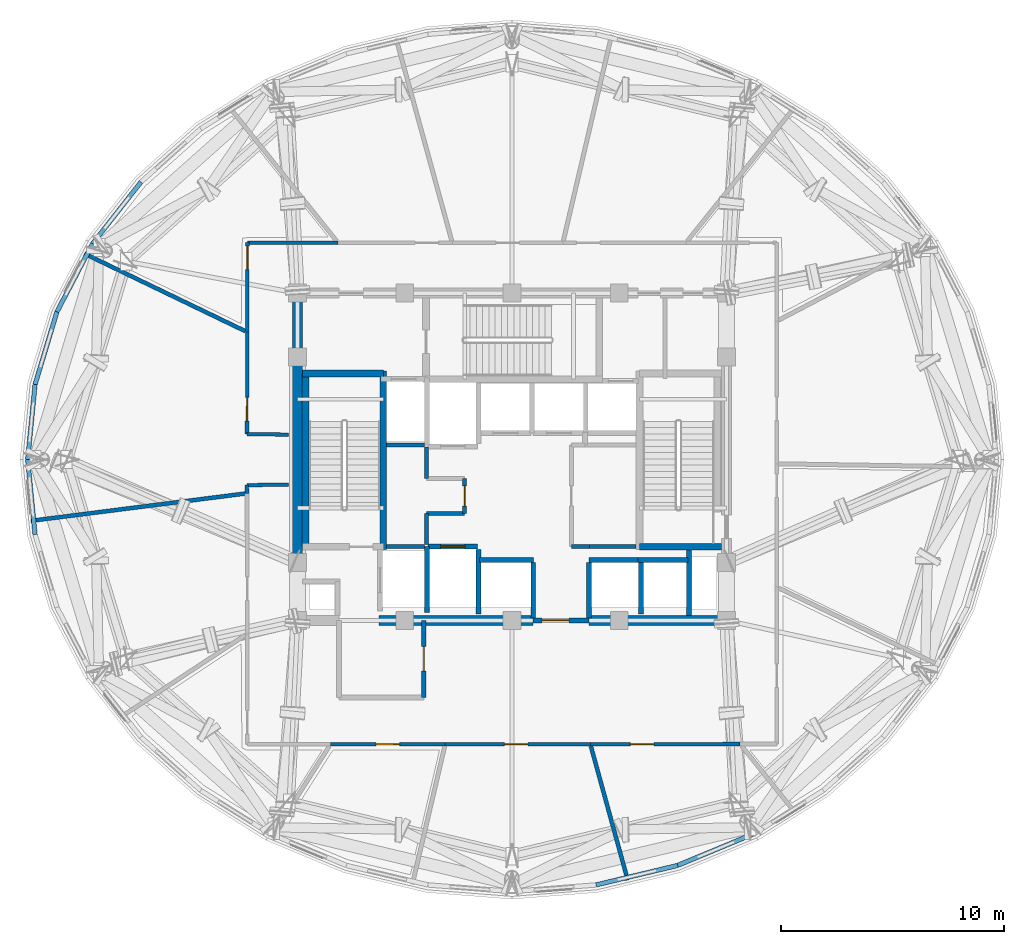
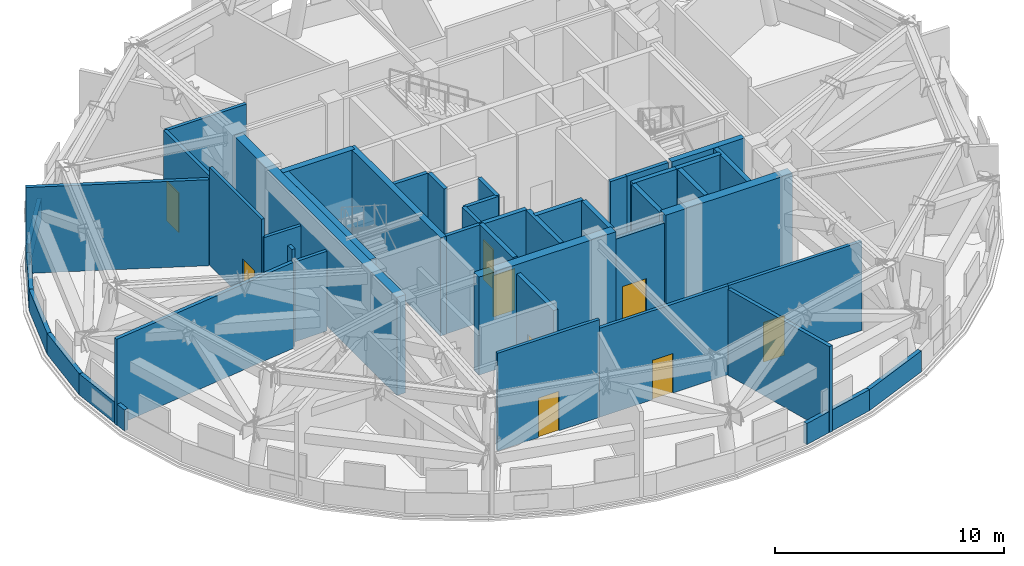
# One storey, part 7 of 13: 46 walls, 9 doors, 9 openings.
"""IFC4 building model written with IfcOpenShell, lengths in metres."""

from ifc_helpers import new_model, si_unit, direction, frame, frame_2d, origin, place, context, subcontext, project, spatial, rectangle, extrude, material, layer, layer_set, type_object, element, fill, save


model = new_model("IFC4")

# Units and contexts
model_context = context("Model", 3, precision=1e-05, world=origin(), true_north=direction((0.0, 1.0)))
body_context = subcontext(model_context, "Body", "Model", "MODEL_VIEW")
ifc_project = project(units=[si_unit("LENGTHUNIT", "METRE"), si_unit("AREAUNIT", "SQUARE_METRE"), si_unit("VOLUMEUNIT", "CUBIC_METRE"), si_unit("PLANEANGLEUNIT", "RADIAN"), si_unit("MASSUNIT", "GRAM", prefix="KILO")], contexts=[model_context])

# Site, building, storey
site_placement = place(None, origin())
site = spatial("IfcSite", under=ifc_project, at=site_placement, CompositionType="ELEMENT")
building_placement = place(site_placement, origin())
building = spatial("IfcBuilding", under=site, at=building_placement, Name="Vantalir Tower", CompositionType="ELEMENT")
storey_placement = place(building_placement, frame((0.0, 0.0, 253.64990234375)))
storey = spatial("IfcBuildingStorey", under=building, at=storey_placement, Name="L64", CompositionType="ELEMENT", Elevation=253.64990234375)

# Walls
ifc_material_1 = material(Name="Concrete C50/60", Category="concrete")
ifc_layer_1 = layer(ifc_material_1, 0.449951171875)
ifc_layer_set_1 = layer_set([ifc_layer_1], Name="Concrete C50/60")
wall_type_1 = type_object("IfcWallType", Name="WL-CORE-450", PredefinedType="SHEAR", material=ifc_layer_set_1)
wall_1_placement = place(storey_placement, frame((25.550048828125, 17.800048828125, 0.0), z_axis=(0.0, 0.0, 1.0), x_axis=(1.0, 0.0, 0.0)))
element("IfcWall", 1, at=wall_1_placement, inside=storey, type_object=wall_type_1, Name="L64 Core Shear Wall South-Mid", PredefinedType="SHEAR", context=body_context, shape_type="SweptSolid", body=[
    extrude(rectangle(XDim=6.89990234375, YDim=0.449951171875, at=frame_2d((3.449951171875, 0.0))), origin(), (0.0, 0.0, 1.0), 5.22021484375),
])
wall_2_placement = place(storey_placement, frame((34.949951171875, 17.800048828125, 0.0), z_axis=(0.0, 0.0, 1.0), x_axis=(1.0, 0.0, 0.0)))
element("IfcWall", 2, at=wall_2_placement, inside=storey, type_object=wall_type_1, Name="L64 Core Shear Wall South-East", PredefinedType="SHEAR", context=body_context, shape_type="SweptSolid", body=[
    extrude(rectangle(XDim=6.375, YDim=0.449951171875, at=frame_2d((3.1875, 0.0))), origin(), (0.0, 0.0, 1.0), 5.22021484375),
])
wall_3_placement = place(storey_placement, frame((21.89990234375, 18.02490234375, 0.0), z_axis=(0.0, 0.0, 1.0), x_axis=(0.0, 1.0, 0.0)))
element("IfcWall", 3, at=wall_3_placement, inside=storey, type_object=wall_type_1, Name="L64 Core Shear Wall West", PredefinedType="SHEAR", context=body_context, shape_type="SweptSolid", body=[
    extrude(rectangle(XDim=14.2001953125, YDim=0.449951171875, at=frame_2d((7.10009765625, 0.0))), origin(), (0.0, 0.0, 1.0), 5.22021484375),
])
ifc_material_2 = material(Name="Fire-rated hotel corridor acoustic partition", Category="gypsum")
ifc_layer_2 = layer(ifc_material_2, 0.159912109375)
ifc_layer_set_2 = layer_set([ifc_layer_2], Name="Fire-rated hotel corridor acoustic partition")
wall_type_2 = type_object("IfcWallType", Name="WL-CORR-160", PredefinedType="PARTITIONING", material=ifc_layer_set_2)
wall_4_placement = place(storey_placement, frame((21.4951171875, 26.116943359375, 0.0), z_axis=(0.0, 0.0, 1.0), x_axis=(-0.999908537082, 0.013524698532, 0.0)))
element("IfcWall", 4, at=wall_4_placement, inside=storey, type_object=wall_type_2, Name="L64 Corridor Partition 01", PredefinedType="PARTITIONING", context=body_context, shape_type="SweptSolid", body=[
    extrude(rectangle(XDim=1.859375, YDim=0.159912109375, at=frame_2d((0.9296875, 0.0))), origin(), (0.0, 0.0, 1.0), 4.2451171875),
])

# Wall, opening, door
wall_5_placement = place(storey_placement, frame((19.635986328125, 26.14208984375, 0.0), z_axis=(0.0, 0.0, 1.0), x_axis=(0.002833910126, 0.999995984469, 0.0)))
wall_5 = element("IfcWall", 5, at=wall_5_placement, inside=storey, type_object=wall_type_2, Name="L64 Corridor Partition 02", PredefinedType="PARTITIONING", context=body_context, shape_type="SweptSolid", body=[
    extrude(rectangle(XDim=4.56591796875, YDim=0.159912109375, at=frame_2d((2.282958984375, 0.0))), origin(), (0.0, 0.0, 1.0), 5.2001953125),
])
opening_1_placement = place(wall_5_placement, frame((0.595947265625, 0.0, 0.0)))
opening_1 = element("IfcOpeningElement", 6, at=opening_1_placement, cuts=wall_5, Name="Opening D-ST", PredefinedType="OPENING", context=body_context, shape_type="SweptSolid", body=[
    extrude(rectangle(XDim=1.050048828125, YDim=2.10009765625, at=frame_2d((0.52490234375, 1.050048828125))), frame((0.0, 0.08984375, 0.0), z_axis=(0.0, -1.0, 0.0), x_axis=(1.0, 0.0, 0.0)), (0.0, 0.0, 1.0), 0.179931640625),
])
ifc_material_3 = material(Name="Fire-rated steel door leaf", Category="steel")
door_type_1 = type_object("IfcDoorType", Name="DR-FIRE-STAIR-1050", OperationType="NOTDEFINED", PredefinedType="DOOR", material=ifc_material_3)
door_1_placement = place(opening_1_placement, origin())
door_1 = element("IfcDoor", 7, at=door_1_placement, inside=storey, type_object=door_type_1, Name="L64 Domestic Cold Water Booster Plant Room Door", OperationType="SINGLE_SWING_LEFT", OverallHeight=2.10009765625, OverallWidth=1.050048828125, PredefinedType="DOOR", context=body_context, shape_type="SweptSolid", body=[
    extrude(rectangle(XDim=1.050048828125, YDim=2.10009765625, at=frame_2d((0.52490234375, 1.050048828125))), frame((0.0, 0.02490234375, 0.0), z_axis=(0.0, -1.0, 0.0), x_axis=(1.0, 0.0, 0.0)), (0.0, 0.0, 1.0), 0.050048828125),
])
fill(opening_1, door_1)

wall_6_placement = place(storey_placement, frame((19.64892578125, 30.7080078125, 0.0), z_axis=(0.0, 0.0, 1.0), x_axis=(0.00274389211, 0.999996235521, 0.0)))
wall_6 = element("IfcWall", 8, at=wall_6_placement, inside=storey, type_object=wall_type_2, Name="L64 Corridor Partition 03", PredefinedType="PARTITIONING", context=body_context, shape_type="SweptSolid", body=[
    extrude(rectangle(XDim=4.00390625, YDim=0.159912109375, at=frame_2d((2.001953125, 0.0))), origin(), (0.0, 0.0, 1.0), 4.733154296875),
])
opening_2_placement = place(wall_6_placement, frame((2.7939453125, 0.0, 0.0)))
opening_2 = element("IfcOpeningElement", 9, at=opening_2_placement, cuts=wall_6, Name="Opening D-ST", PredefinedType="OPENING", context=body_context, shape_type="SweptSolid", body=[
    extrude(rectangle(XDim=1.050048828125, YDim=2.10009765625, at=frame_2d((0.52490234375, 1.050048828125))), frame((0.0, 0.08984375, 0.0), z_axis=(0.0, -1.0, 0.0), x_axis=(1.0, 0.0, 0.0)), (0.0, 0.0, 1.0), 0.179931640625),
])
door_2_placement = place(opening_2_placement, origin())
door_2 = element("IfcDoor", 10, at=door_2_placement, inside=storey, type_object=door_type_1, Name="L64 Fire Sprinkler Transfer Pump Plant Room Door", OperationType="SINGLE_SWING_RIGHT", OverallHeight=2.10009765625, OverallWidth=1.050048828125, PredefinedType="DOOR", context=body_context, shape_type="SweptSolid", body=[
    extrude(rectangle(XDim=1.050048828125, YDim=2.10009765625, at=frame_2d((0.52490234375, 1.050048828125))), frame((0.0, 0.02490234375, 0.0), z_axis=(0.0, -1.0, 0.0), x_axis=(1.0, 0.0, 0.0)), (0.0, 0.0, 1.0), 0.050048828125),
])
fill(opening_2, door_2)

# Wall
wall_7_placement = place(storey_placement, frame((19.659912109375, 34.7119140625, 0.0), z_axis=(0.0, 0.0, 1.0), x_axis=(0.999999970944, -0.000241065503, 0.0)))
element("IfcWall", 11, at=wall_7_placement, inside=storey, type_object=wall_type_2, Name="L64 Corridor Partition 04", PredefinedType="PARTITIONING", context=body_context, shape_type="SweptSolid", body=[
    extrude(rectangle(XDim=4.051025390625, YDim=0.159912109375, at=frame_2d((2.025390625, 0.0))), origin(), (0.0, 0.0, 1.0), 4.733154296875),
])

# Wall, opening, door
wall_8_placement = place(storey_placement, frame((41.712890625, 12.26708984375, 0.0), z_axis=(0.0, 0.0, 1.0), x_axis=(-0.999999888028, -0.000473226258, 0.0)))
wall_8 = element("IfcWall", 12, at=wall_8_placement, inside=storey, type_object=wall_type_2, Name="L64 Corridor Partition 14", PredefinedType="PARTITIONING", context=body_context, shape_type="SweptSolid", body=[
    extrude(rectangle(XDim=6.706787109375, YDim=0.159912109375, at=frame_2d((3.353515625, 0.0))), origin(), (0.0, 0.0, 1.0), 4.733154296875),
])
opening_3_placement = place(wall_8_placement, frame((3.865966796875, 0.0, 0.0)))
opening_3 = element("IfcOpeningElement", 13, at=opening_3_placement, cuts=wall_8, Name="Opening D-ST", PredefinedType="OPENING", context=body_context, shape_type="SweptSolid", body=[
    extrude(rectangle(XDim=1.050048828125, YDim=2.10009765625, at=frame_2d((0.52490234375, 1.050048828125))), frame((0.0, 0.08984375, 0.0), z_axis=(0.0, -1.0, 0.0), x_axis=(1.0, 0.0, 0.0)), (0.0, 0.0, 1.0), 0.179931640625),
])
door_3_placement = place(opening_3_placement, origin())
door_3 = element("IfcDoor", 14, at=door_3_placement, inside=storey, type_object=door_type_1, Name="L64 Smoke Extract Fan Plant Room Door", OperationType="SINGLE_SWING_RIGHT", OverallHeight=2.10009765625, OverallWidth=1.050048828125, PredefinedType="DOOR", context=body_context, shape_type="SweptSolid", body=[
    extrude(rectangle(XDim=1.050048828125, YDim=2.10009765625, at=frame_2d((0.52490234375, 1.050048828125))), frame((0.0, 0.02490234375, 0.0), z_axis=(0.0, -1.0, 0.0), x_axis=(1.0, 0.0, 0.0)), (0.0, 0.0, 1.0), 0.050048828125),
])
fill(opening_3, door_3)

wall_9_placement = place(storey_placement, frame((35.006103515625, 12.263916015625, 0.0), z_axis=(0.0, 0.0, 1.0), x_axis=(-0.999999898272, -0.000451059945, 0.0)))
wall_9 = element("IfcWall", 15, at=wall_9_placement, inside=storey, type_object=wall_type_2, Name="L64 Corridor Partition 15", PredefinedType="PARTITIONING", context=body_context, shape_type="SweptSolid", body=[
    extrude(rectangle(XDim=6.4951171875, YDim=0.159912109375, at=frame_2d((3.24755859375, 0.0))), origin(), (0.0, 0.0, 1.0), 4.733154296875),
])
opening_4_placement = place(wall_9_placement, frame((2.7958984375, 0.0, 0.0)))
opening_4 = element("IfcOpeningElement", 16, at=opening_4_placement, cuts=wall_9, Name="Opening D-ST", PredefinedType="OPENING", context=body_context, shape_type="SweptSolid", body=[
    extrude(rectangle(XDim=1.050048828125, YDim=2.10009765625, at=frame_2d((0.52490234375, 1.050048828125))), frame((0.0, 0.08984375, 0.0), z_axis=(0.0, -1.0, 0.0), x_axis=(1.0, 0.0, 0.0)), (0.0, 0.0, 1.0), 0.179931640625),
])
door_4_placement = place(opening_4_placement, origin())
door_4 = element("IfcDoor", 17, at=door_4_placement, inside=storey, type_object=door_type_1, Name="L64 Refuge Area South Door", OperationType="SINGLE_SWING_LEFT", OverallHeight=2.10009765625, OverallWidth=1.050048828125, PredefinedType="DOOR", context=body_context, shape_type="SweptSolid", body=[
    extrude(rectangle(XDim=1.050048828125, YDim=2.10009765625, at=frame_2d((0.52490234375, 1.050048828125))), frame((0.0, 0.02490234375, 0.0), z_axis=(0.0, -1.0, 0.0), x_axis=(1.0, 0.0, 0.0)), (0.0, 0.0, 1.0), 0.050048828125),
])
fill(opening_4, door_4)

wall_10_placement = place(storey_placement, frame((28.510986328125, 12.260986328125, 0.0), z_axis=(0.0, 0.0, 1.0), x_axis=(-0.999999837123, -0.000570749015, 0.0)))
wall_10 = element("IfcWall", 18, at=wall_10_placement, inside=storey, type_object=wall_type_2, Name="L64 Corridor Partition 16", PredefinedType="PARTITIONING", context=body_context, shape_type="SweptSolid", body=[
    extrude(rectangle(XDim=5.133056640625, YDim=0.159912109375, at=frame_2d((2.56640625, 0.0))), origin(), (0.0, 0.0, 1.0), 5.2001953125),
])
opening_5_placement = place(wall_10_placement, frame((2.0419921875, 0.0, 0.0)))
opening_5 = element("IfcOpeningElement", 19, at=opening_5_placement, cuts=wall_10, Name="Opening D-ST", PredefinedType="OPENING", context=body_context, shape_type="SweptSolid", body=[
    extrude(rectangle(XDim=1.050048828125, YDim=2.10009765625, at=frame_2d((0.52490234375, 1.050048828125))), frame((0.0, 0.08984375, 0.0), z_axis=(0.0, -1.0, 0.0), x_axis=(1.0, 0.0, 0.0)), (0.0, 0.0, 1.0), 0.179931640625),
])
door_5_placement = place(opening_5_placement, origin())
door_5 = element("IfcDoor", 20, at=door_5_placement, inside=storey, type_object=door_type_1, Name="L64 Emergency UPS Battery Plant Room Door", OperationType="SINGLE_SWING_RIGHT", OverallHeight=2.10009765625, OverallWidth=1.050048828125, PredefinedType="DOOR", context=body_context, shape_type="SweptSolid", body=[
    extrude(rectangle(XDim=1.050048828125, YDim=2.10009765625, at=frame_2d((0.52490234375, 1.050048828125))), frame((0.0, 0.02490234375, 0.0), z_axis=(0.0, -1.0, 0.0), x_axis=(1.0, 0.0, 0.0)), (0.0, 0.0, 1.0), 0.050048828125),
])
fill(opening_5, door_5)

# Walls
wall_11_placement = place(storey_placement, frame((19.635986328125, 23.489990234375, 0.0), z_axis=(0.0, 0.0, 1.0), x_axis=(-0.002682753592, 0.99999640141, 0.0)))
element("IfcWall", 21, at=wall_11_placement, inside=storey, type_object=wall_type_2, Name="L64 Corridor Partition 20", PredefinedType="PARTITIONING", context=body_context, shape_type="SweptSolid", body=[
    extrude(rectangle(XDim=0.364013671875, YDim=0.159912109375, at=frame_2d((0.18212890625, 0.0))), origin(), (0.0, 0.0, 1.0), 5.2001953125),
])
wall_12_placement = place(storey_placement, frame((19.635009765625, 23.85400390625, 0.0), z_axis=(0.0, 0.0, 1.0), x_axis=(0.999886107392, 0.015092125259, 0.0)))
element("IfcWall", 22, at=wall_12_placement, inside=storey, type_object=wall_type_2, Name="L64 Corridor Partition 21", PredefinedType="PARTITIONING", context=body_context, shape_type="SweptSolid", body=[
    extrude(rectangle(XDim=1.8603515625, YDim=0.159912109375, at=frame_2d((0.93017578125, 0.0))), origin(), (0.0, 0.0, 1.0), 4.2451171875),
])
ifc_material_4 = material(Name="Concrete blockwork with fireboard lining", Category="masonry")
ifc_layer_3 = layer(ifc_material_4, 0.219970703125)
ifc_layer_set_3 = layer_set([ifc_layer_3], Name="Concrete blockwork with fireboard lining")
wall_type_3 = type_object("IfcWallType", Name="WL-FFL-220", PredefinedType="PARTITIONING", material=ifc_layer_set_3)
wall_13_placement = place(storey_placement, frame((30.0, 18.080078125, 0.0), z_axis=(0.0, 0.0, 1.0), x_axis=(0.0, 1.0, 0.0)))
element("IfcWall", 23, at=wall_13_placement, inside=storey, type_object=wall_type_3, Name="L64 Service Lift SV1 East Shaft Wall", PredefinedType="PARTITIONING", context=body_context, shape_type="SweptSolid", body=[
    extrude(rectangle(XDim=2.89990234375, YDim=0.219970703125, at=frame_2d((1.449951171875, 0.0))), origin(), (0.0, 0.0, 1.0), 5.195068359375),
])
for number, where, z_axis, x_axis, name in (
    (24, (32.449951171875, 17.919921875, 0.0), (0.0, 0.0, 1.0), (0.0, 1.0, 0.0), "L64 Shuttle Lift PL-X1 East Shaft Cheek"),
    (25, (34.949951171875, 17.919921875, 0.0), (0.0, 0.0, 1.0), (0.0, 1.0, 0.0), "L64 Shuttle Lift PL-X3 West Shaft Cheek"),
):
    element("IfcWall", number, at=place(storey_placement, frame(where, z_axis=z_axis, x_axis=x_axis)), inside=storey, type_object=wall_type_3, Name=name, PredefinedType="PARTITIONING", context=body_context, shape_type="SweptSolid", body=[
        extrude(rectangle(XDim=2.469970703125, YDim=0.219970703125, at=frame_2d((1.23486328125, 0.0))), origin(), (0.0, 0.0, 1.0), 5.195068359375),
    ])
wall_14_placement = place(storey_placement, frame((37.27490234375, 18.080078125, 0.0), z_axis=(0.0, 0.0, 1.0), x_axis=(0.0, 1.0, 0.0)))
element("IfcWall", 26, at=wall_14_placement, inside=storey, type_object=wall_type_3, Name="L64 Shuttle Lift PL-X2/X3 Shaft Divider", PredefinedType="PARTITIONING", context=body_context, shape_type="SweptSolid", body=[
    extrude(rectangle(XDim=2.309814453125, YDim=0.219970703125, at=frame_2d((1.15478515625, 0.0))), origin(), (0.0, 0.0, 1.0), 5.195068359375),
])

# Wall, opening, door
wall_15_placement = place(storey_placement, frame((32.449951171875, 17.800048828125, 0.0), z_axis=(0.0, 0.0, 1.0), x_axis=(1.0, 0.0, 0.0)))
wall_15 = element("IfcWall", 27, at=wall_15_placement, inside=storey, type_object=wall_type_3, Name="L64 Passenger Lift Lobby South Wall", PredefinedType="PARTITIONING", context=body_context, shape_type="SweptSolid", body=[
    extrude(rectangle(XDim=2.5, YDim=0.219970703125, at=frame_2d((1.25, 0.0))), origin(), (0.0, 0.0, 1.0), 4.733154296875),
])
opening_6_placement = place(wall_15_placement, frame((0.39990234375, 0.0, 0.0)))
opening_6 = element("IfcOpeningElement", 28, at=opening_6_placement, cuts=wall_15, Name="Opening D-STE", PredefinedType="OPENING", context=body_context, shape_type="SweptSolid", body=[
    extrude(rectangle(XDim=1.199951171875, YDim=2.10009765625, at=frame_2d((0.60009765625, 1.050048828125))), frame((0.0, 0.119873046875, 0.0), z_axis=(0.0, -1.0, 0.0), x_axis=(1.0, 0.0, 0.0)), (0.0, 0.0, 1.0), 0.239990234375),
])
ifc_material_5 = material(Name="Solid-core teak veneer suite entrance door", Category="wood")
door_type_2 = type_object("IfcDoorType", Name="DR-SUITE-ENTRY-1200", OperationType="NOTDEFINED", PredefinedType="DOOR", material=ifc_material_5)
door_6_placement = place(opening_6_placement, origin())
door_6 = element("IfcDoor", 29, at=door_6_placement, inside=storey, type_object=door_type_2, Name="L64 Passenger Lift Lobby Concourse Door", OperationType="SINGLE_SWING_LEFT", OverallHeight=2.10009765625, OverallWidth=1.199951171875, PredefinedType="DOOR", context=body_context, shape_type="SweptSolid", body=[
    extrude(rectangle(XDim=1.199951171875, YDim=2.10009765625, at=frame_2d((0.60009765625, 1.050048828125))), frame((0.0, 0.02490234375, 0.0), z_axis=(0.0, -1.0, 0.0), x_axis=(1.0, 0.0, 0.0)), (0.0, 0.0, 1.0), 0.050048828125),
])
fill(opening_6, door_6)

# Wall
wall_16_placement = place(storey_placement, frame((39.419921875, 18.02490234375, 0.0), z_axis=(0.0, 0.0, 1.0), x_axis=(0.0, 1.0, 0.0)))
element("IfcWall", 30, at=wall_16_placement, inside=storey, type_object=wall_type_3, Name="L64 East MEP Riser Wall W", PredefinedType="PARTITIONING", context=body_context, shape_type="SweptSolid", body=[
    extrude(rectangle(XDim=2.925048828125, YDim=0.219970703125, at=frame_2d((1.46240234375, 0.0))), origin(), (0.0, 0.0, 1.0), 5.2001953125),
])

# Wall, opening, door
wall_17_placement = place(storey_placement, frame((27.739990234375, 21.110107421875, 0.0), z_axis=(0.0, 0.0, 1.0), x_axis=(1.0, 0.0, 0.0)))
wall_17 = element("IfcWall", 31, at=wall_17_placement, inside=storey, type_object=wall_type_3, Name="L64 Lift SV1 Shaft Front Wall", PredefinedType="PARTITIONING", context=body_context, shape_type="SweptSolid", body=[
    extrude(rectangle(XDim=2.219970703125, YDim=0.219970703125, at=frame_2d((1.10986328125, 0.0))), origin(), (0.0, 0.0, 1.0), 5.2001953125),
])
opening_7_placement = place(wall_17_placement, frame((0.56005859375, 0.0, 0.0)))
opening_7 = element("IfcOpeningElement", 32, at=opening_7_placement, cuts=wall_17, Name="Opening LD-SV1", PredefinedType="OPENING", context=body_context, shape_type="SweptSolid", body=[
    extrude(rectangle(XDim=1.10009765625, YDim=2.199951171875, at=frame_2d((0.550048828125, 1.10009765625))), frame((0.0, 0.119873046875, 0.0), z_axis=(0.0, -1.0, 0.0), x_axis=(1.0, 0.0, 0.0)), (0.0, 0.0, 1.0), 0.239990234375),
])
ifc_material_6 = material(Name="Brushed stainless-steel sliding lift landing door", Category="steel")
door_type_3 = type_object("IfcDoorType", Name="DR-LIFT-LANDING-1100", OperationType="DOUBLE_DOOR_SLIDING", PredefinedType="DOOR", material=ifc_material_6)
door_7_placement = place(opening_7_placement, origin())
door_7 = element("IfcDoor", 33, at=door_7_placement, inside=storey, type_object=door_type_3, Name="L64 Lift Landing Door SV1", OperationType="DOUBLE_DOOR_SLIDING", OverallHeight=2.199951171875, OverallWidth=1.10009765625, PredefinedType="DOOR", context=body_context, shape_type="SweptSolid", body=[
    extrude(rectangle(XDim=1.10009765625, YDim=2.199951171875, at=frame_2d((0.550048828125, 1.10009765625))), frame((0.0, 0.02490234375, 0.0), z_axis=(0.0, -1.0, 0.0), x_axis=(1.0, 0.0, 0.0)), (0.0, 0.0, 1.0), 0.050048828125),
])
fill(opening_7, door_7)

# Walls
wall_18_placement = place(storey_placement, frame((30.0400390625, 20.510009765625, 0.0), z_axis=(0.0, 0.0, 1.0), x_axis=(1.0, 0.0, 0.0)))
element("IfcWall", 34, at=wall_18_placement, inside=storey, type_object=wall_type_3, Name="L64 Lift PL-X1 Shaft Front Wall", PredefinedType="PARTITIONING", context=body_context, shape_type="SweptSolid", body=[
    extrude(rectangle(XDim=2.419921875, YDim=0.219970703125, at=frame_2d((1.2099609375, 0.0))), origin(), (0.0, 0.0, 1.0), 5.2001953125),
])
for number, where, z_axis, x_axis, name in (
    (35, (37.139892578125, 20.510009765625, 0.0), (0.0, 0.0, 1.0), (1.0, 0.0, 0.0), "L64 Lift PL-X2 Shaft Rear Wall"),
    (36, (34.93994140625, 20.510009765625, 0.0), (0.0, 0.0, 1.0), (1.0, 0.0, 0.0), "L64 Lift PL-X3 Shaft Front Wall"),
):
    element("IfcWall", number, at=place(storey_placement, frame(where, z_axis=z_axis, x_axis=x_axis)), inside=storey, type_object=wall_type_3, Name=name, PredefinedType="PARTITIONING", context=body_context, shape_type="SweptSolid", body=[
        extrude(rectangle(XDim=2.239990234375, YDim=0.219970703125, at=frame_2d((1.1201171875, 0.0))), origin(), (0.0, 0.0, 1.0), 5.2001953125),
    ])
wall_19_placement = place(storey_placement, frame((27.699951171875, 18.14990234375, 0.0), z_axis=(0.0, 0.0, 1.0), x_axis=(0.0, 1.0, 0.0)))
element("IfcWall", 37, at=wall_19_placement, inside=storey, type_object=wall_type_3, Name="L64 Fire Lift FL1 Dividing Wall", PredefinedType="PARTITIONING", context=body_context, shape_type="SweptSolid", body=[
    extrude(rectangle(XDim=2.9501953125, YDim=0.219970703125, at=frame_2d((1.47509765625, 0.0))), origin(), (0.0, 0.0, 1.0), 5.2001953125),
])

# Wall, opening, door
wall_20_placement = place(storey_placement, frame((27.550048828125, 14.35009765625, 0.0), z_axis=(0.0, 0.0, 1.0), x_axis=(0.0, 1.0, 0.0)))
wall_20 = element("IfcWall", 38, at=wall_20_placement, inside=storey, type_object=wall_type_3, Name="L64 Firefighting Lobby West East Wall", PredefinedType="PARTITIONING", context=body_context, shape_type="SweptSolid", body=[
    extrude(rectangle(XDim=3.449951171875, YDim=0.219970703125, at=frame_2d((1.72509765625, 0.0))), origin(), (0.0, 0.0, 1.0), 4.733154296875),
])
opening_8_placement = place(wall_20_placement, frame((1.175048828125, 0.0, 0.0)))
opening_8 = element("IfcOpeningElement", 39, at=opening_8_placement, cuts=wall_20, Name="Opening D-FFL", PredefinedType="OPENING", context=body_context, shape_type="SweptSolid", body=[
    extrude(rectangle(XDim=1.10009765625, YDim=2.10009765625, at=frame_2d((0.550048828125, 1.050048828125))), frame((0.0, 0.119873046875, 0.0), z_axis=(0.0, -1.0, 0.0), x_axis=(1.0, 0.0, 0.0)), (0.0, 0.0, 1.0), 0.239990234375),
])
ifc_material_7 = material(Name="Fire-rated acoustic steel door", Category="steel")
door_type_4 = type_object("IfcDoorType", Name="DR-FIRE-LOBBY-1100", OperationType="NOTDEFINED", PredefinedType="DOOR", material=ifc_material_7)
door_8_placement = place(opening_8_placement, origin())
door_8 = element("IfcDoor", 40, at=door_8_placement, inside=storey, type_object=door_type_4, Name="L64 Firefighting Lobby West Access Door", OperationType="SINGLE_SWING_LEFT", OverallHeight=2.10009765625, OverallWidth=1.10009765625, PredefinedType="DOOR", context=body_context, shape_type="SweptSolid", body=[
    extrude(rectangle(XDim=1.10009765625, YDim=2.10009765625, at=frame_2d((0.550048828125, 1.050048828125))), frame((0.0, 0.02490234375, 0.0), z_axis=(0.0, -1.0, 0.0), x_axis=(1.0, 0.0, 0.0)), (0.0, 0.0, 1.0), 0.050048828125),
])
fill(opening_8, door_8)

# Walls
ifc_material_8 = material(Name="Twin-stud acoustic fire-rated gypsum partition", Category="gypsum")
ifc_layer_4 = layer(ifc_material_8, 0.179931640625)
ifc_layer_set_4 = layer_set([ifc_layer_4], Name="Twin-stud acoustic fire-rated gypsum partition")
wall_type_4 = type_object("IfcWallType", Name="WL-GUEST-180", PredefinedType="PARTITIONING", material=ifc_layer_set_4)
for number, where, z_axis, x_axis, name in (
    (41, (25.889892578125, 21.10009765625, 0.0), (0.0, 0.0, 1.0), (1.0, 0.0, 0.0), "L64 Freed West Core South Wall"),
    (42, (25.889892578125, 25.64990234375, 0.0), (0.0, 0.0, 1.0), (1.0, 0.0, 0.0), "L64 Freed West Core North Wall"),
):
    element("IfcWall", number, at=place(storey_placement, frame(where, z_axis=z_axis, x_axis=x_axis)), inside=storey, type_object=wall_type_4, Name=name, PredefinedType="PARTITIONING", context=body_context, shape_type="SweptSolid", body=[
        extrude(rectangle(XDim=1.7001953125, YDim=0.179931640625, at=frame_2d((0.85009765625, 0.0))), origin(), (0.0, 0.0, 1.0), 5.2001953125),
    ])
wall_21_placement = place(storey_placement, frame((27.679931640625, 21.18994140625, 0.0), z_axis=(0.0, 0.0, 1.0), x_axis=(0.0, 1.0, 0.0)))
element("IfcWall", 43, at=wall_21_placement, inside=storey, type_object=wall_type_4, Name="L64 West IT Room Lower East Wall", PredefinedType="PARTITIONING", context=body_context, shape_type="SweptSolid", body=[
    extrude(rectangle(XDim=1.39013671875, YDim=0.179931640625, at=frame_2d((0.695068359375, 0.0))), origin(), (0.0, 0.0, 1.0), 5.2001953125),
])
wall_22_placement = place(storey_placement, frame((27.679931640625, 22.580078125, 0.0), z_axis=(0.0, 0.0, 1.0), x_axis=(1.0, 0.0, 0.0)))
element("IfcWall", 44, at=wall_22_placement, inside=storey, type_object=wall_type_4, Name="L64 West IT Room Alcove South Wall", PredefinedType="PARTITIONING", context=body_context, shape_type="SweptSolid", body=[
    extrude(rectangle(XDim=1.699951171875, YDim=0.179931640625, at=frame_2d((0.85009765625, 0.0))), origin(), (0.0, 0.0, 1.0), 5.2001953125),
])

# Wall, opening, door
wall_23_placement = place(storey_placement, frame((29.3798828125, 22.580078125, 0.0), z_axis=(0.0, 0.0, 1.0), x_axis=(0.0, 1.0, 0.0)))
wall_23 = element("IfcWall", 45, at=wall_23_placement, inside=storey, type_object=wall_type_4, Name="L64 West IT Room Alcove East Wall", PredefinedType="PARTITIONING", context=body_context, shape_type="SweptSolid", body=[
    extrude(rectangle(XDim=1.579833984375, YDim=0.179931640625, at=frame_2d((0.7900390625, 0.0))), origin(), (0.0, 0.0, 1.0), 5.2001953125),
])
opening_9_placement = place(wall_23_placement, frame((0.340087890625, 0.0, 0.0)))
opening_9 = element("IfcOpeningElement", 46, at=opening_9_placement, cuts=wall_23, Name="Opening D-CR", PredefinedType="OPENING", context=body_context, shape_type="SweptSolid", body=[
    extrude(rectangle(XDim=0.89990234375, YDim=2.10009765625, at=frame_2d((0.449951171875, 1.050048828125))), frame((0.0, 0.099853515625, 0.0), z_axis=(0.0, -1.0, 0.0), x_axis=(1.0, 0.0, 0.0)), (0.0, 0.0, 1.0), 0.199951171875),
])
ifc_material_9 = material(Name="Fire-rated steel core service door", Category="steel")
door_type_5 = type_object("IfcDoorType", Name="DR-CORE-SERV-900", OperationType="NOTDEFINED", PredefinedType="DOOR", material=ifc_material_9)
door_9_placement = place(opening_9_placement, origin())
door_9 = element("IfcDoor", 47, at=door_9_placement, inside=storey, type_object=door_type_5, Name="L64 Core IT Comms Door", OperationType="SINGLE_SWING_RIGHT", OverallHeight=2.10009765625, OverallWidth=0.89990234375, PredefinedType="DOOR", context=body_context, shape_type="SweptSolid", body=[
    extrude(rectangle(XDim=0.89990234375, YDim=2.10009765625, at=frame_2d((0.449951171875, 1.050048828125))), frame((0.0, 0.02490234375, 0.0), z_axis=(0.0, -1.0, 0.0), x_axis=(1.0, 0.0, 0.0)), (0.0, 0.0, 1.0), 0.050048828125),
])
fill(opening_9, door_9)

# Walls
wall_24_placement = place(storey_placement, frame((27.679931640625, 24.159912109375, 0.0), z_axis=(0.0, 0.0, 1.0), x_axis=(0.0, 1.0, 0.0)))
element("IfcWall", 48, at=wall_24_placement, inside=storey, type_object=wall_type_4, Name="L64 West IT Room Upper East Wall", PredefinedType="PARTITIONING", context=body_context, shape_type="SweptSolid", body=[
    extrude(rectangle(XDim=1.400146484375, YDim=0.179931640625, at=frame_2d((0.7001953125, 0.0))), origin(), (0.0, 0.0, 1.0), 5.2001953125),
])
wall_25_placement = place(storey_placement, frame((34.97998046875, 21.10009765625, 0.0), z_axis=(0.0, 0.0, 1.0), x_axis=(1.0, 0.0, 0.0)))
element("IfcWall", 49, at=wall_25_placement, inside=storey, type_object=wall_type_4, Name="L64 Freed East Core South Wall", PredefinedType="PARTITIONING", context=body_context, shape_type="SweptSolid", body=[
    extrude(rectangle(XDim=2.080078125, YDim=0.179931640625, at=frame_2d((1.0400390625, 0.0))), origin(), (0.0, 0.0, 1.0), 5.2001953125),
])
wall_26_placement = place(storey_placement, frame((34.159912109375, 21.10009765625, 0.0), z_axis=(0.0, 0.0, 1.0), x_axis=(1.0, 0.0, 0.0)))
element("IfcWall", 50, at=wall_26_placement, inside=storey, type_object=wall_type_4, Name="L64 East IT Room South Return", PredefinedType="PARTITIONING", context=body_context, shape_type="SweptSolid", body=[
    extrude(rectangle(XDim=0.820068359375, YDim=0.179931640625, at=frame_2d((0.41015625, 0.0))), origin(), (0.0, 0.0, 1.0), 5.2001953125),
])
wall_27_placement = place(storey_placement, frame((19.56005859375, 30.75, 0.0), z_axis=(0.0, 0.0, 1.0), x_axis=(-0.900936685767, 0.433950559672, 0.0)))
element("IfcWall", 51, at=wall_27_placement, inside=storey, type_object=wall_type_4, Name="L64 Radial Suite Partition 07", PredefinedType="PARTITIONING", context=body_context, shape_type="SweptSolid", body=[
    extrude(rectangle(XDim=7.996337890625, YDim=0.179931640625, at=frame_2d((3.998046875, 0.0))), origin(), (0.0, 0.0, 1.0), 4.5751953125),
])
wall_28_placement = place(storey_placement, frame((19.56005859375, 23.47998046875, 0.0), z_axis=(0.0, 0.0, 1.0), x_axis=(-0.991994461283, -0.12628138732, 0.0)))
element("IfcWall", 52, at=wall_28_placement, inside=storey, type_object=wall_type_4, Name="L64 Radial Suite Partition 08", PredefinedType="PARTITIONING", context=body_context, shape_type="SweptSolid", body=[
    extrude(rectangle(XDim=9.66845703125, YDim=0.179931640625, at=frame_2d((4.834228515625, 0.0))), origin(), (0.0, 0.0, 1.0), 4.5751953125),
])
wall_29_placement = place(storey_placement, frame((35.030029296875, 12.175048828125, 0.0), z_axis=(0.0, 0.0, 1.0), x_axis=(0.265473825657, -0.964118067402, 0.0)))
element("IfcWall", 53, at=wall_29_placement, inside=storey, type_object=wall_type_4, Name="L64 Radial Suite Partition 12", PredefinedType="PARTITIONING", context=body_context, shape_type="SweptSolid", body=[
    extrude(rectangle(XDim=6.222412109375, YDim=0.179931640625, at=frame_2d((3.111328125, 0.0))), origin(), (0.0, 0.0, 1.0), 4.5751953125),
])
ifc_material_10 = material(Name="Concrete C40/50 parapet upstand", Category="concrete")
ifc_layer_5 = layer(ifc_material_10, 0.199951171875)
ifc_layer_set_5 = layer_set([ifc_layer_5], Name="Concrete C40/50 parapet upstand")
wall_type_5 = type_object("IfcWallType", Name="WL-PARA-200", PredefinedType="PARAPET", material=ifc_layer_set_5)
wall_30_placement = place(storey_placement, frame((14.89208984375, 37.427978515625, 0.0), z_axis=(0.0, 0.0, 1.0), x_axis=(-0.617406744437, -0.786644082113, 0.0)))
element("IfcWall", 54, at=wall_30_placement, inside=storey, type_object=wall_type_5, Name="L64 Refuge Perimeter Parapet R15", PredefinedType="PARAPET", context=body_context, shape_type="SweptSolid", body=[
    extrude(rectangle(XDim=3.509765625, YDim=0.199951171875, at=frame_2d((1.7548828125, 0.0))), origin(), (0.0, 0.0, 1.0), 1.1201171875),
])
wall_31_placement = place(storey_placement, frame((12.72509765625, 34.6669921875, 0.0), z_axis=(0.0, 0.0, 1.0), x_axis=(-0.463654949237, -0.886015850901, 0.0)))
element("IfcWall", 55, at=wall_31_placement, inside=storey, type_object=wall_type_5, Name="L64 Refuge Perimeter Parapet R16", PredefinedType="PARAPET", context=body_context, shape_type="SweptSolid", body=[
    extrude(rectangle(XDim=3.44677734375, YDim=0.199951171875, at=frame_2d((1.723388671875, 0.0))), origin(), (0.0, 0.0, 1.0), 1.1201171875),
])
wall_32_placement = place(storey_placement, frame((11.126953125, 31.613037109375, 0.0), z_axis=(0.0, 0.0, 1.0), x_axis=(-0.287670684646, -0.957729386202, 0.0)))
element("IfcWall", 56, at=wall_32_placement, inside=storey, type_object=wall_type_5, Name="L64 Refuge Perimeter Parapet R17", PredefinedType="PARAPET", context=body_context, shape_type="SweptSolid", body=[
    extrude(rectangle(XDim=3.39990234375, YDim=0.199951171875, at=frame_2d((1.699951171875, 0.0))), origin(), (0.0, 0.0, 1.0), 1.1201171875),
])
for number, where, z_axis, x_axis, name in (
    (57, (10.14892578125, 28.35693359375, 0.0), (0.0, 0.0, 1.0), (-0.097496920609, -0.995235826562, 0.0), "L64 Refuge Perimeter Parapet R18"),
    (58, (9.820068359375, 25.0, 0.0), (0.0, 0.0, 1.0), (0.097496920609, -0.995235826562, 0.0), "L64 Refuge Perimeter Parapet R19"),
):
    element("IfcWall", number, at=place(storey_placement, frame(where, z_axis=z_axis, x_axis=x_axis)), inside=storey, type_object=wall_type_5, Name=name, PredefinedType="PARAPET", context=body_context, shape_type="SweptSolid", body=[
        extrude(rectangle(XDim=3.373046875, YDim=0.199951171875, at=frame_2d((1.6865234375, 0.0))), origin(), (0.0, 0.0, 1.0), 1.1201171875),
    ])
wall_33_placement = place(storey_placement, frame((35.264892578125, 5.9599609375, 0.0), z_axis=(0.0, 0.0, 1.0), x_axis=(0.972626535049, 0.23237388691, 0.0)))
element("IfcWall", 59, at=wall_33_placement, inside=storey, type_object=wall_type_5, Name="L64 Refuge Perimeter Parapet R29", PredefinedType="PARAPET", context=body_context, shape_type="SweptSolid", body=[
    extrude(rectangle(XDim=3.7529296875, YDim=0.199951171875, at=frame_2d((1.87646484375, 0.0))), origin(), (0.0, 0.0, 1.0), 1.1201171875),
])
wall_34_placement = place(storey_placement, frame((38.9150390625, 6.83203125, 0.0), z_axis=(0.0, 0.0, 1.0), x_axis=(0.92336680677, 0.383918923935, 0.0)))
element("IfcWall", 60, at=wall_34_placement, inside=storey, type_object=wall_type_5, Name="L64 Refuge Perimeter Parapet R30", PredefinedType="PARAPET", context=body_context, shape_type="SweptSolid", body=[
    extrude(rectangle(XDim=3.709228515625, YDim=0.199951171875, at=frame_2d((1.8544921875, 0.0))), origin(), (0.0, 0.0, 1.0), 1.1201171875),
])
ifc_layer_6 = layer(ifc_material_1, 0.300048828125)
ifc_layer_set_6 = layer_set([ifc_layer_6], Name="Concrete C50/60")
wall_type_6 = type_object("IfcWallType", Name="WL-STAIR-300", PredefinedType="SHEAR", material=ifc_layer_set_6)
wall_35_placement = place(storey_placement, frame((22.125, 28.85009765625, 0.0), z_axis=(0.0, 0.0, 1.0), x_axis=(1.0, 0.0, 0.0)))
element("IfcWall", 61, at=wall_35_placement, inside=storey, type_object=wall_type_6, Name="L64 Stair ST1 North Wall", PredefinedType="SHEAR", context=body_context, shape_type="SweptSolid", body=[
    extrude(rectangle(XDim=3.614990234375, YDim=0.300048828125, at=frame_2d((1.8076171875, 0.0))), origin(), (0.0, 0.0, 1.0), 5.22021484375),
])
wall_36_placement = place(storey_placement, frame((25.739990234375, 20.97998046875, 0.0), z_axis=(0.0, 0.0, 1.0), x_axis=(0.0, 1.0, 0.0)))
element("IfcWall", 62, at=wall_36_placement, inside=storey, type_object=wall_type_6, Name="L64 Stair ST1 East Wall", PredefinedType="SHEAR", context=body_context, shape_type="SweptSolid", body=[
    extrude(rectangle(XDim=7.989990234375, YDim=0.300048828125, at=frame_2d((3.9951171875, 0.0))), origin(), (0.0, 0.0, 1.0), 5.22021484375),
])
wall_37_placement = place(storey_placement, frame((22.260009765625, 21.10009765625, 0.0), z_axis=(0.0, 0.0, 1.0), x_axis=(0.0, 1.0, 0.0)))
element("IfcWall", 63, at=wall_37_placement, inside=storey, type_object=wall_type_6, Name="L64 Stair ST1 West Liner Wall", PredefinedType="SHEAR", context=body_context, shape_type="SweptSolid", body=[
    extrude(rectangle(XDim=7.75, YDim=0.300048828125, at=frame_2d((3.875, 0.0))), origin(), (0.0, 0.0, 1.0), 5.22021484375),
])
wall_38_placement = place(storey_placement, frame((37.2099609375, 21.10009765625, 0.0), z_axis=(0.0, 0.0, 1.0), x_axis=(1.0, 0.0, 0.0)))
element("IfcWall", 64, at=wall_38_placement, inside=storey, type_object=wall_type_6, Name="L64 Stair ST2 South Wall", PredefinedType="SHEAR", context=body_context, shape_type="SweptSolid", body=[
    extrude(rectangle(XDim=3.6650390625, YDim=0.300048828125, at=frame_2d((1.83251953125, 0.0))), origin(), (0.0, 0.0, 1.0), 5.22021484375),
])

save(model, "model.ifc")
